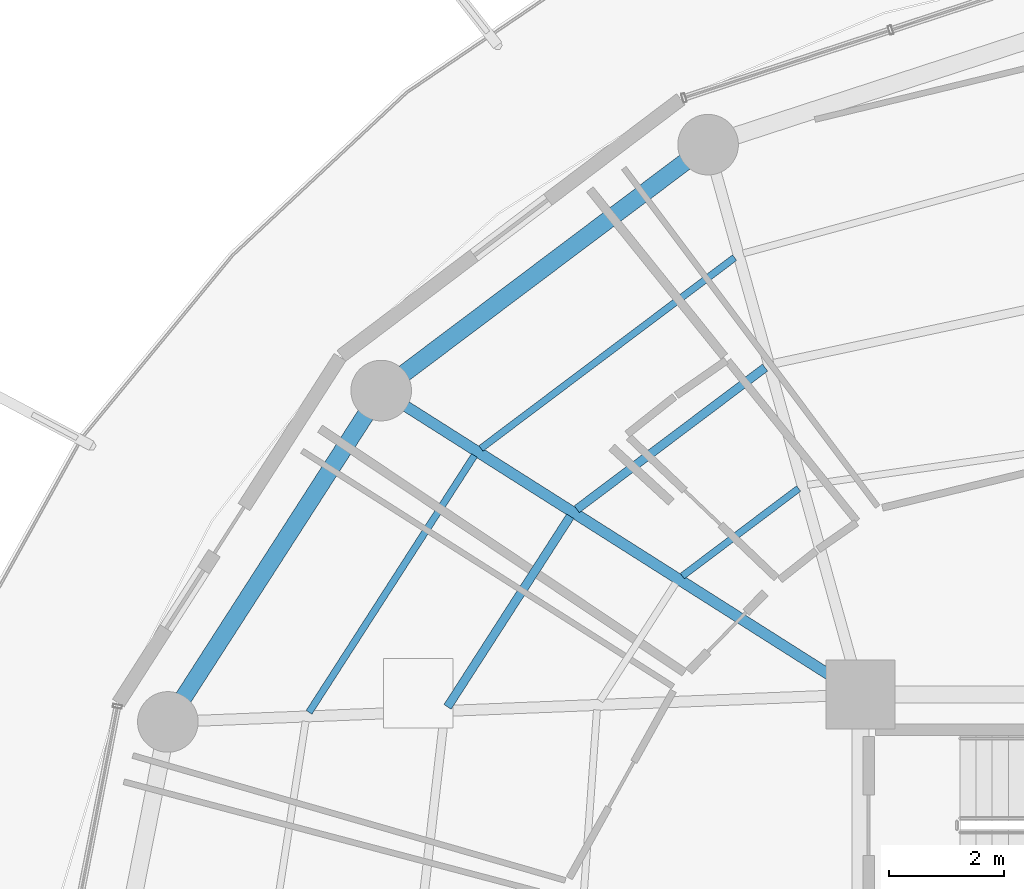
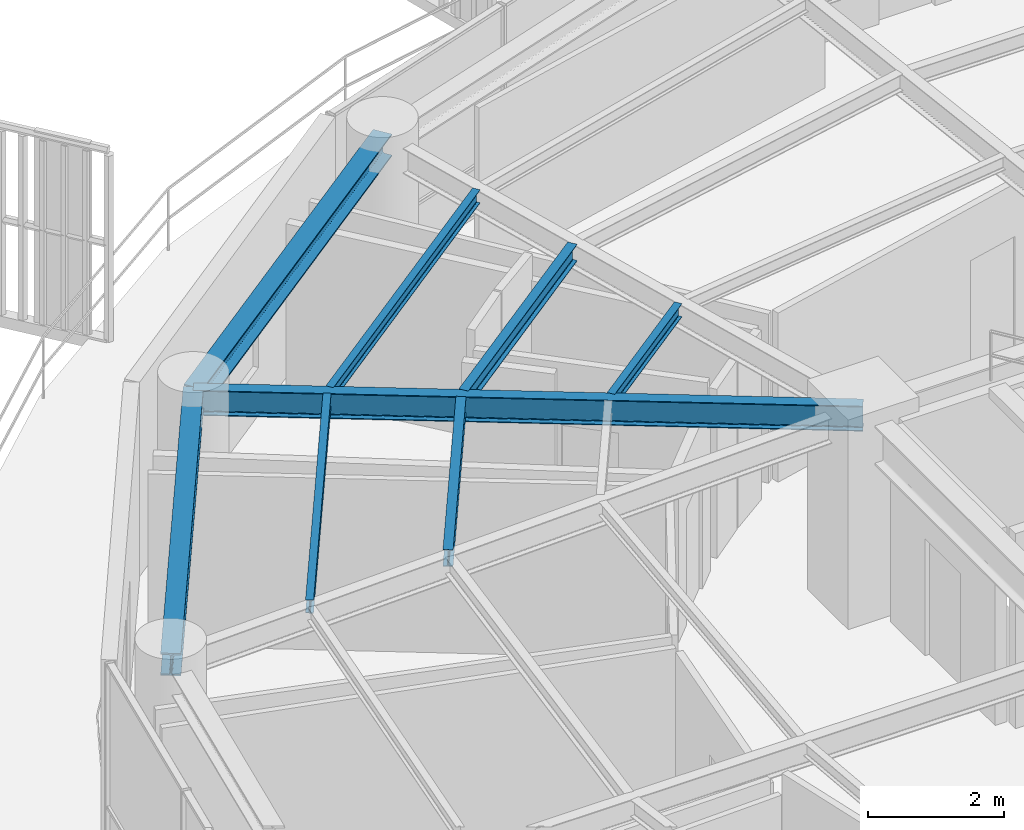
# One storey, part 16 of 30: 8 beams.
"""IFC4 building model written with IfcOpenShell, lengths in metres."""

from ifc_helpers import new_model, si_unit, direction, frame, origin, origin_2d, place, context, subcontext, project, spatial, i_section, extrude, material, material_profile, profile_set, type_object, element, save


model = new_model("IFC4")

# Units and contexts
model_context = context("Model", 3, precision=1e-05, world=origin(), true_north=direction((0.0, 1.0)))
body_context = subcontext(model_context, "Body", "Model", "MODEL_VIEW")
ifc_project = project(units=[si_unit("LENGTHUNIT", "METRE"), si_unit("AREAUNIT", "SQUARE_METRE"), si_unit("VOLUMEUNIT", "CUBIC_METRE"), si_unit("PLANEANGLEUNIT", "RADIAN"), si_unit("MASSUNIT", "GRAM", prefix="KILO")], contexts=[model_context])

# Site, building, storey
site_placement = place(None, origin())
site = spatial("IfcSite", under=ifc_project, at=site_placement, CompositionType="ELEMENT")
building_placement = place(site_placement, origin())
building = spatial("IfcBuilding", under=site, at=building_placement, Name="Kelanora Arch Commons", CompositionType="ELEMENT")
storey_placement = place(building_placement, frame((0.0, 0.0, 211.949951171875)))
storey = spatial("IfcBuildingStorey", under=building, at=storey_placement, Name="L54", CompositionType="ELEMENT", Elevation=211.949951171875)

# Beams
ifc_material = material(Name="Steel S355", Category="steel")
ifc_material_profile_1 = material_profile(ifc_material, i_section(OverallWidth=0.14990234375, OverallDepth=0.300048828125, WebThickness=0.007080078125, FlangeThickness=0.0107421875, FilletRadius=0.014892578125, at=origin_2d()), Name="IPE300")
ifc_profile_set_1 = profile_set([ifc_material_profile_1], Name="Steel S355")
beam_type_1 = type_object("IfcBeamType", Name="BM-JST-01", PredefinedType="JOIST", material=ifc_profile_set_1)
beam_1_placement = place(storey_placement, frame((64.34814453125, 70.6630859375, 3.340087890625), z_axis=(-0.799101708656, -0.601195857624, 0.0), x_axis=(0.601195857624, -0.799101708656, 0.0)))
element("IfcBeam", 1, at=beam_1_placement, inside=storey, type_object=beam_type_1, Name="Secondary Chord Joist BJB-12 L54", PredefinedType="JOIST", context=body_context, shape_type="SweptSolid", body=[
    extrude(i_section(OverallWidth=0.14990234375, OverallDepth=0.300048828125, WebThickness=0.007080078125, FlangeThickness=0.0107421875, FilletRadius=0.014892578125, at=origin_2d()), origin(), (0.0, 0.0, 1.0), 4.080810546875),
])
beam_2_placement = place(storey_placement, frame((60.97314453125, 68.087158203125, 3.340087890625), z_axis=(-0.541411265892, -0.840757896879, 0.0), x_axis=(0.840757896879, -0.541411265892, 0.0)))
element("IfcBeam", 2, at=beam_2_placement, inside=storey, type_object=beam_type_1, Name="Secondary Chord Joist BJB-14 L54", PredefinedType="JOIST", context=body_context, shape_type="SweptSolid", body=[
    extrude(i_section(OverallWidth=0.14990234375, OverallDepth=0.300048828125, WebThickness=0.007080078125, FlangeThickness=0.0107421875, FilletRadius=0.014892578125, at=origin_2d()), origin(), (0.0, 0.0, 1.0), 3.92529296875),
])
ifc_material_profile_2 = material_profile(ifc_material, i_section(OverallWidth=0.1201171875, OverallDepth=0.239990234375, WebThickness=0.006103515625, FlangeThickness=0.009765625, FilletRadius=0.014892578125, at=origin_2d()), Name="IPE240")
ifc_profile_set_2 = profile_set([ifc_material_profile_2], Name="Steel S355")
beam_type_2 = type_object("IfcBeamType", Name="BM-JST-02", PredefinedType="JOIST", material=ifc_profile_set_2)
beam_3_placement = place(storey_placement, frame((64.928955078125, 68.56787109375, 3.3701171875), z_axis=(-0.79911638933, -0.601176343766, 0.0), x_axis=(0.601176343766, -0.79911638933, 0.0)))
element("IfcBeam", 3, at=beam_3_placement, inside=storey, type_object=beam_type_2, Name="Secondary Chord Joist BJA-12 L54", PredefinedType="JOIST", context=body_context, shape_type="SweptSolid", body=[
    extrude(i_section(OverallWidth=0.1201171875, OverallDepth=0.239990234375, WebThickness=0.006103515625, FlangeThickness=0.009765625, FilletRadius=0.014892578125, at=origin_2d()), origin(), (0.0, 0.0, 1.0), 2.522216796875),
])
beam_4_placement = place(storey_placement, frame((63.820068359375, 72.56787109375, 3.3701171875), z_axis=(-0.799109197935, -0.601185902842, 0.0), x_axis=(0.601185902842, -0.799109197935, 0.0)))
element("IfcBeam", 4, at=beam_4_placement, inside=storey, type_object=beam_type_2, Name="Secondary Chord Joist BJC-12 L54", PredefinedType="JOIST", context=body_context, shape_type="SweptSolid", body=[
    extrude(i_section(OverallWidth=0.1201171875, OverallDepth=0.239990234375, WebThickness=0.006103515625, FlangeThickness=0.009765625, FilletRadius=0.014892578125, at=origin_2d()), origin(), (0.0, 0.0, 1.0), 5.497802734375),
])
beam_5_placement = place(storey_placement, frame((59.31298828125, 69.14013671875, 3.3701171875), z_axis=(-0.541382492679, -0.840776424872, 0.0), x_axis=(0.840776424872, -0.541382492679, 0.0)))
element("IfcBeam", 5, at=beam_5_placement, inside=storey, type_object=beam_type_2, Name="Secondary Chord Joist BJC-14 L54", PredefinedType="JOIST", context=body_context, shape_type="SweptSolid", body=[
    extrude(i_section(OverallWidth=0.1201171875, OverallDepth=0.239990234375, WebThickness=0.006103515625, FlangeThickness=0.009765625, FilletRadius=0.014892578125, at=origin_2d()), origin(), (0.0, 0.0, 1.0), 5.29052734375),
])
ifc_material_profile_3 = material_profile(ifc_material, i_section(OverallWidth=0.18994140625, OverallDepth=0.449951171875, WebThickness=0.009521484375, FlangeThickness=0.0146484375, FilletRadius=0.02099609375, at=origin_2d()), Name="IPE450")
ifc_profile_set_3 = profile_set([ifc_material_profile_3], Name="Steel S355")
beam_type_3 = type_object("IfcBeamType", Name="BM-RAD-Z4", PredefinedType="BEAM", material=ifc_profile_set_3)
beam_6_placement = place(storey_placement, frame((66.0, 65.0, 3.26513671875), z_axis=(-0.844507208607, 0.535544185489, 0.0), x_axis=(-0.535544185489, -0.844507208607, 0.0)))
element("IfcBeam", 6, at=beam_6_placement, inside=storey, type_object=beam_type_3, Name="Radial Floor Girder BR-14 L54", PredefinedType="BEAM", context=body_context, shape_type="SweptSolid", body=[
    extrude(i_section(OverallWidth=0.18994140625, OverallDepth=0.449951171875, WebThickness=0.009521484375, FlangeThickness=0.0146484375, FilletRadius=0.02099609375, at=origin_2d()), origin(), (0.0, 0.0, 1.0), 9.830078125),
])
ifc_material_profile_4 = material_profile(ifc_material, i_section(OverallWidth=0.300048828125, OverallDepth=0.39990234375, WebThickness=0.013427734375, FlangeThickness=0.02392578125, FilletRadius=0.027099609375, at=origin_2d()), Name="HEB400")
ifc_profile_set_4 = profile_set([ifc_material_profile_4], Name="Steel S355")
beam_type_4 = type_object("IfcBeamType", Name="BM-SPN-Z4", PredefinedType="SPANDREL", material=ifc_profile_set_4)
beam_7_placement = place(storey_placement, frame((63.360107421875, 74.523681640625, 3.2900390625), z_axis=(-0.799114211715, -0.60117923836, 0.0), x_axis=(0.60117923836, -0.799114211715, 0.0)))
element("IfcBeam", 7, at=beam_7_placement, inside=storey, type_object=beam_type_4, Name="Perimeter Spandrel Beam BS-12 L54", PredefinedType="SPANDREL", context=body_context, shape_type="SweptSolid", body=[
    extrude(i_section(OverallWidth=0.300048828125, OverallDepth=0.39990234375, WebThickness=0.013427734375, FlangeThickness=0.02392578125, FilletRadius=0.027099609375, at=origin_2d()), origin(), (0.0, 0.0, 1.0), 7.0849609375),
])
beam_8_placement = place(storey_placement, frame((57.698486328125, 70.264404296875, 3.2900390625), z_axis=(-0.541364878868, -0.840787766281, 0.0), x_axis=(0.840787766281, -0.541364878868, 0.0)))
element("IfcBeam", 8, at=beam_8_placement, inside=storey, type_object=beam_type_4, Name="Perimeter Spandrel Beam BS-14 L54", PredefinedType="SPANDREL", context=body_context, shape_type="SweptSolid", body=[
    extrude(i_section(OverallWidth=0.300048828125, OverallDepth=0.39990234375, WebThickness=0.013427734375, FlangeThickness=0.02392578125, FilletRadius=0.027099609375, at=origin_2d()), origin(), (0.0, 0.0, 1.0), 6.825439453125),
])

save(model, "model.ifc")
